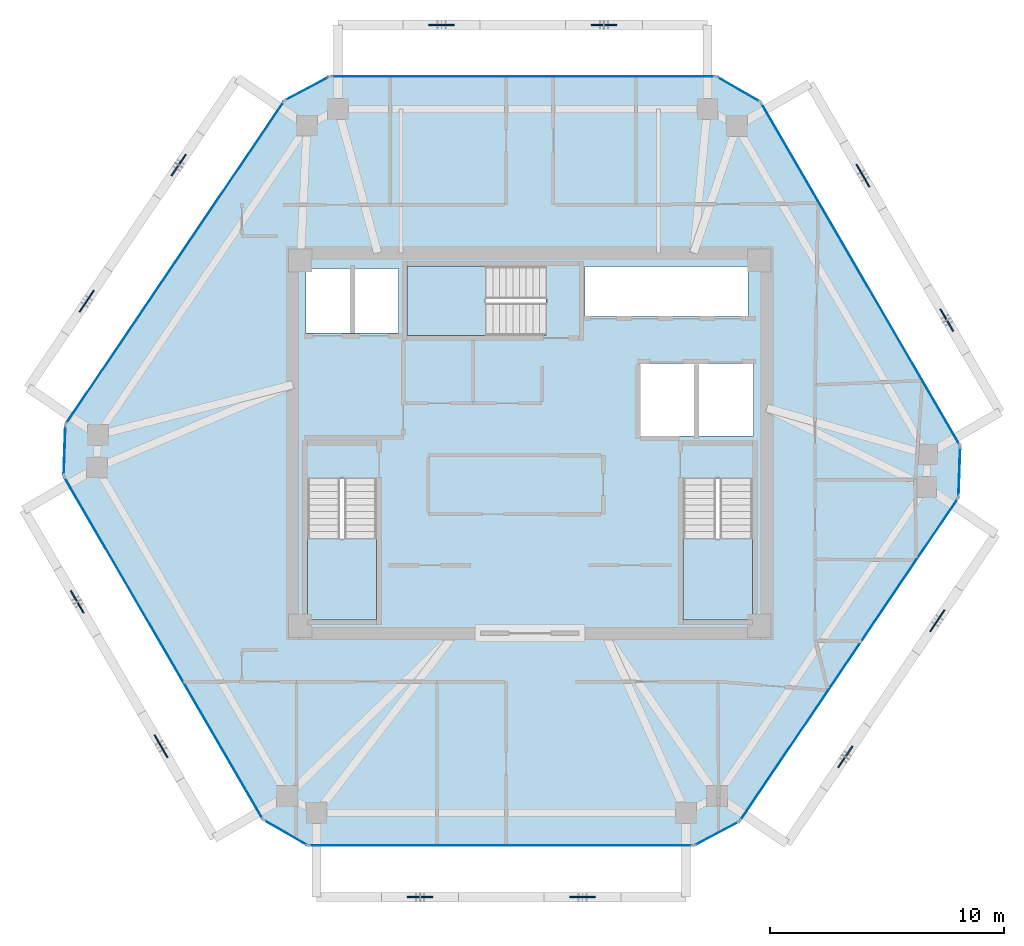
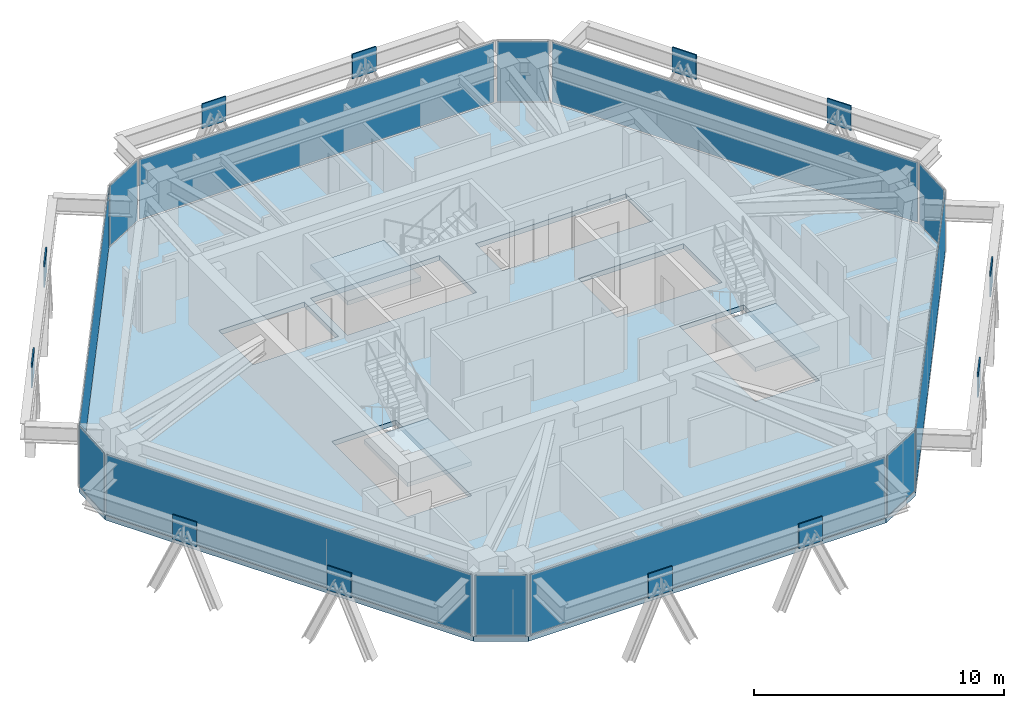
# One storey, part 7 of 13: 24 plates, 4 slabs, 15 elements without a shape of their own.
"""IFC4 building model written with IfcOpenShell, lengths in metres."""

import ifcopenshell
import ifcopenshell.guid

model = None  # the IFC model being written
_history = None  # IfcOwnerHistory: only IFC2X3 demands one
_inside = {}  # id of a spatial element -> (the spatial element, [elements in it])
_under = {}  # id of a project, library or spatial element -> (it, [spatial elements below it])
_declared = {}  # id of a project -> (the project, [libraries it declares])
_typed = {}  # id of a type object -> (the type object, [elements of that type])
_made_of = {}  # id of a material, layer set ... -> (it, [elements and type objects made of it])


def new_model(schema):
    """Start an empty IFC model of exactly this schema.

    Asked for "IFC4X3", IfcOpenShell would pick the latest addendum, in which some entities
    have other attributes; the version numbers below select the first issue.
    IFC2X3 requires an IfcOwnerHistory on every rooted entity: one is made here for all.
    """
    global model, _history
    if schema == "IFC4X3":
        model = ifcopenshell.file(schema_version=(4, 3, 0, 0))
    else:
        model = ifcopenshell.file(schema=schema)
    _inside.clear()
    _under.clear()
    _declared.clear()
    _typed.clear()
    _made_of.clear()
    _history = None
    if model.schema == "IFC2X3":
        org = make("IfcOrganization", Name="unknown")
        user = make(
            "IfcPersonAndOrganization",
            ThePerson=make("IfcPerson", FamilyName="unknown"),
            TheOrganization=org,
        )
        app = make(
            "IfcApplication",
            ApplicationDeveloper=org,
            Version="unknown",
            ApplicationFullName="unknown",
            ApplicationIdentifier="unknown",
        )
        _history = make(
            "IfcOwnerHistory",
            OwningUser=user,
            OwningApplication=app,
            ChangeAction="ADDED",
            CreationDate=0,
        )
    return model


def make(cls, **values):
    """One entity of the class cls with the attributes given. An attribute that is None is left unset."""
    return model.create_entity(
        cls, **{name: value for name, value in values.items() if value is not None}
    )


def rooted(cls, **values):
    """An entity with a GlobalId (a new one), such as an element, a storey or a relation."""
    return make(cls, GlobalId=ifcopenshell.guid.new(), OwnerHistory=_history, **values)


def si_unit(unit_type, name, prefix=None):
    """IfcSIUnit, for example si_unit("LENGTHUNIT", "METRE", prefix="MILLI")."""
    return make("IfcSIUnit", UnitType=unit_type, Prefix=prefix, Name=name)


def assignment(units):
    """IfcUnitAssignment: the units of a project."""
    return None if units is None else make("IfcUnitAssignment", Units=units)


def point(xyz):
    """IfcCartesianPoint."""
    return None if xyz is None else make("IfcCartesianPoint", Coordinates=xyz)


def direction(xyz):
    """IfcDirection."""
    return None if xyz is None else make("IfcDirection", DirectionRatios=xyz)


def frame(location, z_axis=None, x_axis=None):
    """IfcAxis2Placement3D, a coordinate frame: its origin and axes. An axis left out is left unset."""
    return make(
        "IfcAxis2Placement3D",
        Location=point(location),
        Axis=direction(z_axis),
        RefDirection=direction(x_axis),
    )


def frame_2d(location, x_axis=None):
    """IfcAxis2Placement2D, a coordinate frame in the plane: its origin and x axis."""
    return make(
        "IfcAxis2Placement2D", Location=point(location), RefDirection=direction(x_axis)
    )


def origin():
    """The frame at (0, 0, 0) with its axes left unset."""
    return frame((0.0, 0.0, 0.0))


def origin_2d():
    """The frame at (0, 0) in the plane with its x axis left unset."""
    return frame_2d((0.0, 0.0))


def place(relative_to, where):
    """IfcLocalPlacement: puts the frame where relative to a parent placement (None: the world)."""
    return make(
        "IfcLocalPlacement", PlacementRelTo=relative_to, RelativePlacement=where
    )


def context(
    kind, dimensions, precision=None, world=None, true_north=None, identifier=None
):
    """IfcGeometricRepresentationContext, for example the 3D "Model" context."""
    return make(
        "IfcGeometricRepresentationContext",
        ContextIdentifier=identifier,
        ContextType=kind,
        CoordinateSpaceDimension=dimensions,
        Precision=precision,
        WorldCoordinateSystem=world,
        TrueNorth=true_north,
    )


def subcontext(parent, identifier, kind, view, scale=None):
    """IfcGeometricRepresentationSubContext, for example "Body" below "Model"."""
    return make(
        "IfcGeometricRepresentationSubContext",
        ContextIdentifier=identifier,
        ContextType=kind,
        ParentContext=parent,
        TargetScale=scale,
        TargetView=view,
    )


def project(units=None, contexts=None):
    """IfcProject with its units and contexts."""
    return rooted(
        "IfcProject",
        Name="project",
        RepresentationContexts=contexts,
        UnitsInContext=assignment(units),
    )


def spatial(cls, under=None, at=None, **own):
    """A site, building, storey or space (cls), placed at a placement, below another one or the project."""
    s = rooted(cls, ObjectPlacement=at, **own)
    if under is not None:
        _under.setdefault(under.id(), (under, []))[1].append(s)
    return s


def polyline(points):
    """IfcPolyline through the points."""
    return make("IfcPolyline", Points=[point(p) for p in points])


def profile(cls, at=None, kind="AREA", **sizes):
    """A parametric profile (cls). Its sizes go by their IFC names, for example OverallWidth=200.0."""
    return make(cls, ProfileType=kind, Position=at, **sizes)


def rectangle(**sizes):
    """IfcRectangleProfileDef."""
    return profile("IfcRectangleProfileDef", **sizes)


def outline(outer, holes=None, kind="AREA"):
    """IfcArbitraryClosedProfileDef: a profile drawn as a closed curve; with holes, ...WithVoids."""
    if holes is None:
        return make("IfcArbitraryClosedProfileDef", ProfileType=kind, OuterCurve=outer)
    return make(
        "IfcArbitraryProfileDefWithVoids",
        ProfileType=kind,
        OuterCurve=outer,
        InnerCurves=holes,
    )


def extrude(swept, where, along, depth):
    """IfcExtrudedAreaSolid: the profile swept, set in the frame where, extruded along a direction by depth."""
    return make(
        "IfcExtrudedAreaSolid",
        SweptArea=swept,
        Position=where,
        ExtrudedDirection=direction(along),
        Depth=depth,
    )


def shape(context_of_items, identifier, shape_type, items):
    """IfcShapeRepresentation: the items that make up one representation, for example the "Body"."""
    return make(
        "IfcShapeRepresentation",
        ContextOfItems=context_of_items,
        RepresentationIdentifier=identifier,
        RepresentationType=shape_type,
        Items=items,
    )


def source(mapping_origin, context_of_items, identifier, shape_type, items):
    """IfcRepresentationMap: a shape defined once, which mapped items show again and again."""
    return make(
        "IfcRepresentationMap",
        MappingOrigin=mapping_origin,
        MappedRepresentation=shape(context_of_items, identifier, shape_type, items),
    )


def transform(
    local_origin,
    x_axis=None,
    y_axis=None,
    z_axis=None,
    scale=None,
    scale2=None,
    scale3=None,
    uniform=True,
):
    """IfcCartesianTransformationOperator3D, or its non-uniform kind. x_axis, y_axis, z_axis: its Axis1, 2, 3."""
    if uniform:
        return make(
            "IfcCartesianTransformationOperator3D",
            Axis1=direction(x_axis),
            Axis2=direction(y_axis),
            LocalOrigin=point(local_origin),
            Scale=scale,
            Axis3=direction(z_axis),
        )
    return make(
        "IfcCartesianTransformationOperator3DnonUniform",
        Axis1=direction(x_axis),
        Axis2=direction(y_axis),
        LocalOrigin=point(local_origin),
        Scale=scale,
        Axis3=direction(z_axis),
        Scale2=scale2,
        Scale3=scale3,
    )


def mapped(mapping_source, mapping_target):
    """IfcMappedItem: shows the shape of a source again, moved by a transform."""
    return make(
        "IfcMappedItem", MappingSource=mapping_source, MappingTarget=mapping_target
    )


def material(Name=None, Category=None):
    """IfcMaterial."""
    return make("IfcMaterial", Name=Name, Category=Category)


def layer(
    of_material, thickness, ventilated=None, Name=None, Category=None, Priority=None
):
    """IfcMaterialLayer: one layer of a wall or slab, of a material (None: an air gap)."""
    return make(
        "IfcMaterialLayer",
        Material=of_material,
        LayerThickness=thickness,
        IsVentilated=ventilated,
        Name=Name,
        Category=Category,
        Priority=Priority,
    )


def layer_set(layers, Name=None):
    """IfcMaterialLayerSet."""
    return make("IfcMaterialLayerSet", MaterialLayers=layers, LayerSetName=Name)


def made_of(thing, what):
    """Note that an element or type object is made of a material, layer set ...; save() writes the relation."""
    if what is not None:
        _made_of.setdefault(what.id(), (what, []))[1].append(thing)
    return thing


def type_object(cls, material=None, **own):
    """A type object (cls), such as IfcWallType, which elements share."""
    return made_of(rooted(cls, **own), material)


def type_shapes(of_type, sources):
    """Give a type object the sources (RepresentationMaps) that its elements show as mapped items."""
    of_type.RepresentationMaps = sources


def element(
    cls,
    number,
    at=None,
    inside=None,
    cuts=None,
    type_object=None,
    material=None,
    context=None,
    identifier="Body",
    shape_type=None,
    held_by="IfcProductDefinitionShape",
    body=None,
    shapes=None,
    **own,
):
    """One element of the class cls, such as IfcWall. Its Tag is "e" and its number.

    at: its placement. inside: the storey or other place that contains it. cuts: it is an
    opening in that element (IfcRelVoidsElement). A single representation is given by context,
    identifier, shape_type and body (its items); several are given by shapes. held_by: the class
    of the entity that holds the representations. save() writes the other relations.
    """
    e = rooted(cls, Tag="e%d" % number, ObjectPlacement=at, **own)
    if body is not None:
        shapes = [shape(context, identifier, shape_type, body)]
    if shapes is not None:
        e.Representation = make(held_by, Representations=shapes)
    if inside is not None:
        _inside.setdefault(inside.id(), (inside, []))[1].append(e)
    if cuts is not None:
        rooted(
            "IfcRelVoidsElement", RelatingBuildingElement=cuts, RelatedOpeningElement=e
        )
    if type_object is not None:
        _typed.setdefault(type_object.id(), (type_object, []))[1].append(e)
    return made_of(e, material)


def aggregate(whole, parts):
    """IfcRelAggregates: a whole, such as a stair, and the parts it consists of."""
    return rooted("IfcRelAggregates", RelatingObject=whole, RelatedObjects=parts)


def save(model, path):
    """Write the relations noted so far, then the file.

    IfcRelAggregates (storeys below a building ...), IfcRelContainedInSpatialStructure (elements
    in a storey), IfcRelDefinesByType, IfcRelAssociatesMaterial and IfcRelDeclares: one each for
    every whole, place, type object, material and project.
    """
    for whole, parts in _under.values():
        aggregate(whole, parts)
    for where, things in _inside.values():
        rooted(
            "IfcRelContainedInSpatialStructure",
            RelatedElements=things,
            RelatingStructure=where,
        )
    for kind, things in _typed.values():
        rooted("IfcRelDefinesByType", RelatedObjects=things, RelatingType=kind)
    for what, things in _made_of.values():
        rooted("IfcRelAssociatesMaterial", RelatedObjects=things, RelatingMaterial=what)
    for by, libraries in _declared.values():
        rooted("IfcRelDeclares", RelatingContext=by, RelatedDefinitions=libraries)
    model.write(path)


model = new_model("IFC4")

# Units and contexts
model_context = context("Model", 3, precision=1e-05, world=origin(), true_north=direction((0.0, 1.0)))
body_context = subcontext(model_context, "Body", "Model", "MODEL_VIEW")
ifc_project = project(units=[si_unit("LENGTHUNIT", "METRE"), si_unit("AREAUNIT", "SQUARE_METRE"), si_unit("VOLUMEUNIT", "CUBIC_METRE"), si_unit("PLANEANGLEUNIT", "RADIAN"), si_unit("MASSUNIT", "GRAM", prefix="KILO")], contexts=[model_context])

# Site, building, storey
site_placement = place(None, origin())
site = spatial("IfcSite", under=ifc_project, at=site_placement, CompositionType="ELEMENT")
building_placement = place(site_placement, origin())
building = spatial("IfcBuilding", under=site, at=building_placement, Name="Durnholm Broadcast Tower", CompositionType="ELEMENT")
storey_placement = place(building_placement, frame((0.0, 0.0, 228.199951171875)))
storey = spatial("IfcBuildingStorey", under=building, at=storey_placement, Name="L63", CompositionType="ELEMENT", Elevation=228.199951171875)

# Slab
ifc_material_1 = material(Name="Concrete C50/60", Category="concrete")
ifc_layer_1 = layer(ifc_material_1, 0.239990234375)
ifc_layer_set_1 = layer_set([ifc_layer_1], Name="Concrete C50/60")
slab_type_1 = type_object("IfcSlabType", Name="SLAB-FLR-240", PredefinedType="FLOOR", material=ifc_layer_set_1)
slab_1_placement = place(storey_placement, frame((0.0, 0.0, -0.239990234375)))
element("IfcSlab", 1, at=slab_1_placement, inside=storey, type_object=slab_type_1, Name="L63 structural floor slab", PredefinedType="FLOOR", context=body_context, shape_type="SweptSolid", body=[
    extrude(outline(polyline([(-11.384521484375, -16.088134765625), (-9.47802734375, -17.18603515625), (7.012451171875, -17.18603515625), (8.955322265625, -16.154296875), (18.307861328125, -2.3203125), (18.38330078125, -0.12158203125), (9.8603515625, 14.564208984375), (7.9541015625, 15.662109375), (-8.536376953125, 15.662109375), (-10.4794921875, 14.630126953125), (-19.831787109375, 0.79638671875), (-19.9072265625, -1.40234375), (-11.384521484375, -16.088134765625)]), holes=[polyline([(-6.5400390625, -1.5), (-9.5, -1.5), (-9.5, -7.550048828125), (-6.5400390625, -7.550048828125), (-6.5400390625, -1.5)]), polyline([(9.5, -7.550048828125), (9.5, -1.5), (6.5400390625, -1.5), (6.5400390625, -7.550048828125), (9.5, -7.550048828125)]), polyline([(9.550048828125, 3.39990234375), (4.699951171875, 3.39990234375), (4.699951171875, 0.300048828125), (9.550048828125, 0.300048828125), (9.550048828125, 3.39990234375)]), polyline([(-9.550048828125, 7.449951171875), (-9.550048828125, 4.699951171875), (-5.60009765625, 4.699951171875), (-5.60009765625, 7.449951171875), (-9.550048828125, 7.449951171875)]), polyline([(-5.25, 4.60009765625), (0.699951171875, 4.60009765625), (0.699951171875, 7.56005859375), (-5.25, 7.56005859375), (-5.25, 4.60009765625)]), polyline([(9.31005859375, 7.550048828125), (2.35009765625, 7.550048828125), (2.35009765625, 5.39990234375), (9.31005859375, 5.39990234375), (9.31005859375, 7.550048828125)])]), origin(), (0.0, 0.0, 1.0), 0.239990234375),
])

# Stair, slab
stair_type = type_object("IfcStairType", Name="STAIR-DL-20R1650", PredefinedType="HALF_TURN_STAIR", material=ifc_material_1)
stair_1_placement = place(storey_placement, origin())
stair_1 = element("IfcStair", 2, at=stair_1_placement, inside=storey, type_object=stair_type, Name="L63 ST-1", PredefinedType="HALF_TURN_STAIR")
ifc_layer_2 = layer(ifc_material_1, 0.199951171875)
ifc_layer_set_2 = layer_set([ifc_layer_2], Name="Concrete C50/60")
slab_type_2 = type_object("IfcSlabType", Name="SLAB-LND-200", PredefinedType="LANDING", material=ifc_layer_set_2)
slab_2_placement = place(storey_placement, frame((0.0, 0.0, 1.449951171875)))
slab_2 = element("IfcSlab", 3, at=slab_2_placement, type_object=slab_type_2, Name="ST-1 landing 1", PredefinedType="LANDING", context=body_context, shape_type="SweptSolid", body=[
    extrude(outline(polyline([(-9.5, -4.06494140625), (-9.5, -7.550048828125), (-6.5400390625, -7.550048828125), (-6.5400390625, -4.06494140625), (-9.5, -4.06494140625)])), origin(), (0.0, 0.0, 1.0), 0.2001953125),
])
aggregate(stair_1, [slab_2])

stair_2_placement = place(storey_placement, origin())
stair_2 = element("IfcStair", 4, at=stair_2_placement, inside=storey, type_object=stair_type, Name="L63 ST-2", PredefinedType="HALF_TURN_STAIR")
slab_3_placement = place(storey_placement, frame((0.0, 0.0, 1.449951171875)))
slab_3 = element("IfcSlab", 5, at=slab_3_placement, type_object=slab_type_2, Name="ST-2 landing 1", PredefinedType="LANDING", context=body_context, shape_type="SweptSolid", body=[
    extrude(outline(polyline([(6.5400390625, -4.06494140625), (6.5400390625, -7.550048828125), (9.5, -7.550048828125), (9.5, -4.06494140625), (6.5400390625, -4.06494140625)])), origin(), (0.0, 0.0, 1.0), 0.2001953125),
])
aggregate(stair_2, [slab_3])

stair_3_placement = place(storey_placement, origin())
stair_3 = element("IfcStair", 6, at=stair_3_placement, inside=storey, type_object=stair_type, Name="L63 ST-3", PredefinedType="HALF_TURN_STAIR")
slab_4_placement = place(storey_placement, frame((0.0, 0.0, 1.449951171875)))
slab_4 = element("IfcSlab", 7, at=slab_4_placement, type_object=slab_type_2, Name="ST-3 landing 1", PredefinedType="LANDING", context=body_context, shape_type="SweptSolid", body=[
    extrude(outline(polyline([(-1.864990234375, 7.56005859375), (-5.25, 7.56005859375), (-5.25, 4.60009765625), (-1.864990234375, 4.60009765625), (-1.864990234375, 7.56005859375)])), origin(), (0.0, 0.0, 1.0), 0.2001953125),
])
aggregate(stair_3, [slab_4])

# Plates
ifc_material_2 = material(Name="Steel ASTM A572 Grade 50", Category="steel")
ifc_layer_3 = layer(ifc_material_2, 0.06005859375)
ifc_layer_set_3 = layer_set([ifc_layer_3], Name="Steel ASTM A572 Grade 50")
plate_type_1 = type_object("IfcPlateType", Name="PLT-KN10-GUS", PredefinedType="USERDEFINED", material=ifc_layer_set_3)
shared_shape_1 = source(origin(), body_context, "Body", "SweptSolid", [
    extrude(rectangle(XDim=1.10009765625, YDim=0.06005859375, at=origin_2d()), origin(), (0.0, 0.0, 1.0), 1.199951171875),
])
type_shapes(plate_type_1, [shared_shape_1])
for number, where, z_axis, x_axis, name in (
    (8, (-4.688720703125, -19.385986328125, 1.70849609375), (0.0, 0.0, 1.0), (1.0, 0.0, 0.0), "L63 welded diagrid node gusset plate KN10 F1"),
    (9, (2.248779296875, -19.385986328125, 1.70849609375), (0.0, 0.0, 1.0), (1.0, 0.0, 0.0), "L63 welded diagrid node gusset plate KN10 F1"),
    (10, (13.47412109375, -13.398193359375, 1.70849609375), (0.0, 0.0, 1.0), (0.560060762816, 0.828451532652, 0.0), "L63 welded diagrid node gusset plate KN10 F2"),
    (11, (17.404052734375, -7.585205078125, 1.70849609375), (0.0, 0.0, 1.0), (0.560060762816, 0.828451532652, 0.0), "L63 welded diagrid node gusset plate KN10 F2"),
    (12, (17.806640625, 5.2548828125, 1.70849609375), (0.0, 0.0, 1.0), (-0.501963660617, 0.864888711581, 0.0), "L63 welded diagrid node gusset plate KN10 F3"),
    (13, (14.228271484375, 11.4208984375, 1.70849609375), (0.0, 0.0, 1.0), (-0.501963660617, 0.864888711581, 0.0), "L63 welded diagrid node gusset plate KN10 F3"),
    (14, (3.164794921875, 17.862060546875, 1.70849609375), (0.0, 0.0, 1.0), (-1.0, 0.0, 0.0), "L63 welded diagrid node gusset plate KN10 F4"),
    (15, (-3.772705078125, 17.862060546875, 1.70849609375), (0.0, 0.0, 1.0), (-1.0, 0.0, 0.0), "L63 welded diagrid node gusset plate KN10 F4"),
    (16, (-14.998046875, 11.874267578125, 1.70849609375), (0.0, 0.0, 1.0), (-0.560060762816, -0.828451532652, 0.0), "L63 welded diagrid node gusset plate KN10 F5"),
    (17, (-18.927978515625, 6.061279296875, 1.70849609375), (0.0, 0.0, 1.0), (-0.560060762816, -0.828451532652, 0.0), "L63 welded diagrid node gusset plate KN10 F5"),
    (18, (-19.330810546875, -6.77880859375, 1.70849609375), (0.0, 0.0, 1.0), (0.501963660617, -0.864888711581, 0.0), "L63 welded diagrid node gusset plate KN10 F6"),
    (19, (-15.752197265625, -12.94482421875, 1.70849609375), (0.0, 0.0, 1.0), (0.501963660617, -0.864888711581, 0.0), "L63 welded diagrid node gusset plate KN10 F6"),
):
    element("IfcPlate", number, at=place(storey_placement, frame(where, z_axis=z_axis, x_axis=x_axis)), inside=storey, type_object=plate_type_1, Name=name, ObjectType="GUSSET_PLATE", PredefinedType="USERDEFINED", context=body_context, shape_type="MappedRepresentation", body=[
        mapped(shared_shape_1, transform((0.0, 0.0, 0.0), x_axis=(1.0, 0.0, 0.0), y_axis=(0.0, 1.0, 0.0), z_axis=(0.0, 0.0, 1.0), scale=1.0)),
    ])

# Curtain wall, plate
ifc_material_3 = material(Name="Aluminium and Solar Control IGU", Category="aluminium")
ifc_layer_4 = layer(ifc_material_3, 0.1650390625)
ifc_layer_set_4 = layer_set([ifc_layer_4], Name="Aluminium and Solar Control IGU")
curtain_wall_type_1 = type_object("IfcCurtainWallType", Name="CW-SYS-5", PredefinedType="NOTDEFINED", material=ifc_layer_set_4)
curtain_wall_1_placement = place(storey_placement, origin())
curtain_wall_1 = element("IfcCurtainWall", 20, at=curtain_wall_1_placement, inside=storey, type_object=curtain_wall_type_1, Name="L63 curtain wall CW-CORNER CW-L63-CRN-01", PredefinedType="NOTDEFINED")
ifc_material_4 = material(Name="Low-E Laminated Insulating Glass", Category="glass")
ifc_layer_5 = layer(ifc_material_4, 0.030029296875)
ifc_layer_set_5 = layer_set([ifc_layer_5], Name="Low-E Laminated Insulating Glass")
plate_type_2 = type_object("IfcPlateType", Name="CW-SYS-5-PNL", PredefinedType="CURTAIN_PANEL", material=ifc_layer_set_5)
shared_shape_2 = source(origin(), body_context, "Body", "SweptSolid", [
    extrude(rectangle(XDim=2.070068359375, YDim=0.030029296875, at=origin_2d()), origin(), (0.0, 0.0, 1.0), 2.929931640625),
])
plate_1_placement = place(storey_placement, frame((-19.86962890625, -0.302978515625, 0.06494140625), z_axis=(0.0, 0.0, 1.0), x_axis=(0.034318245849, 0.999410955514, 0.0)))
plate_1 = element("IfcPlate", 21, at=plate_1_placement, type_object=plate_type_2, Name="CW-CORNER panel 1.1", PredefinedType="CURTAIN_PANEL", context=body_context, shape_type="MappedRepresentation", body=[
    mapped(shared_shape_2, transform((0.0, 0.0, 0.0), x_axis=(1.0, 0.0, 0.0), y_axis=(0.0, 1.0, 0.0), z_axis=(0.0, 0.0, 1.0), scale=1.0)),
])
aggregate(curtain_wall_1, [plate_1])

curtain_wall_2_placement = place(storey_placement, origin())
curtain_wall_2 = element("IfcCurtainWall", 22, at=curtain_wall_2_placement, inside=storey, type_object=curtain_wall_type_1, Name="L63 curtain wall CW-CORNER CW-L63-CRN-03", PredefinedType="NOTDEFINED")
plate_2_placement = place(storey_placement, frame((-9.5078125, 15.14599609375, 0.06494140625), z_axis=(0.0, 0.0, 1.0), x_axis=(0.883194569853, 0.469006771575, 0.0)))
plate_2 = element("IfcPlate", 23, at=plate_2_placement, type_object=plate_type_2, Name="CW-CORNER panel 1.1", PredefinedType="CURTAIN_PANEL", context=body_context, shape_type="MappedRepresentation", body=[
    mapped(shared_shape_2, transform((0.0, 0.0, 0.0), x_axis=(1.0, 0.0, 0.0), y_axis=(0.0, 1.0, 0.0), z_axis=(0.0, 0.0, 1.0), scale=1.0)),
])
aggregate(curtain_wall_2, [plate_2])

curtain_wall_3_placement = place(storey_placement, origin())
curtain_wall_3 = element("IfcCurtainWall", 24, at=curtain_wall_3_placement, inside=storey, type_object=curtain_wall_type_1, Name="L63 curtain wall CW-CORNER CW-L63-CRN-07", PredefinedType="NOTDEFINED")
plate_3_placement = place(storey_placement, frame((18.345458984375, -1.220947265625, 0.06494140625), z_axis=(0.0, 0.0, 1.0), x_axis=(-0.034318245849, -0.999410955514, 0.0)))
plate_3 = element("IfcPlate", 25, at=plate_3_placement, type_object=plate_type_2, Name="CW-CORNER panel 1.1", PredefinedType="CURTAIN_PANEL", context=body_context, shape_type="MappedRepresentation", body=[
    mapped(shared_shape_2, transform((0.0, 0.0, 0.0), x_axis=(1.0, 0.0, 0.0), y_axis=(0.0, 1.0, 0.0), z_axis=(0.0, 0.0, 1.0), scale=1.0)),
])
aggregate(curtain_wall_3, [plate_3])

curtain_wall_4_placement = place(storey_placement, origin())
curtain_wall_4 = element("IfcCurtainWall", 26, at=curtain_wall_4_placement, inside=storey, type_object=curtain_wall_type_1, Name="L63 curtain wall CW-CORNER CW-L63-CRN-09", PredefinedType="NOTDEFINED")
plate_4_placement = place(storey_placement, frame((7.98388671875, -16.670166015625, 0.06494140625), z_axis=(0.0, 0.0, 1.0), x_axis=(-0.883194569853, -0.469006771575, 0.0)))
plate_4 = element("IfcPlate", 27, at=plate_4_placement, type_object=plate_type_2, Name="CW-CORNER panel 1.1", PredefinedType="CURTAIN_PANEL", context=body_context, shape_type="MappedRepresentation", body=[
    mapped(shared_shape_2, transform((0.0, 0.0, 0.0), x_axis=(1.0, 0.0, 0.0), y_axis=(0.0, 1.0, 0.0), z_axis=(0.0, 0.0, 1.0), scale=1.0)),
])
aggregate(curtain_wall_4, [plate_4])

ifc_layer_6 = layer(ifc_material_3, 0.18994140625)
ifc_layer_set_6 = layer_set([ifc_layer_6], Name="Aluminium and Solar Control IGU")
curtain_wall_type_2 = type_object("IfcCurtainWallType", Name="CW-SYS-4", PredefinedType="NOTDEFINED", material=ifc_layer_set_6)
curtain_wall_5_placement = place(storey_placement, origin())
curtain_wall_5 = element("IfcCurtainWall", 28, at=curtain_wall_5_placement, inside=storey, type_object=curtain_wall_type_2, Name="L63 curtain wall CW-Z34-VIS CW-L63-F02", PredefinedType="NOTDEFINED")
ifc_layer_7 = layer(ifc_material_4, 0.033935546875)
ifc_layer_set_7 = layer_set([ifc_layer_7], Name="Low-E Laminated Insulating Glass")
plate_type_3 = type_object("IfcPlateType", Name="CW-SYS-4-PNL", PredefinedType="CURTAIN_PANEL", material=ifc_layer_set_7)
shared_shape_3 = source(origin(), body_context, "Body", "SweptSolid", [
    extrude(rectangle(XDim=16.55859375, YDim=0.033935546875, at=origin_2d()), origin(), (0.0, 0.0, 1.0), 2.919921875),
])
plate_5_placement = place(storey_placement, frame((-15.155517578125, 7.71337890625, 0.070068359375), z_axis=(0.0, 0.0, 1.0), x_axis=(0.560072745753, 0.828443431662, 0.0)))
plate_5 = element("IfcPlate", 29, at=plate_5_placement, type_object=plate_type_3, Name="CW-Z34-VIS panel 1.1", PredefinedType="CURTAIN_PANEL", context=body_context, shape_type="MappedRepresentation", body=[
    mapped(shared_shape_3, transform((0.0, 0.0, 0.0), x_axis=(1.0, 0.0, 0.0), y_axis=(0.0, 1.0, 0.0), z_axis=(0.0, 0.0, 1.0), scale=1.0)),
])
aggregate(curtain_wall_5, [plate_5])

curtain_wall_6_placement = place(storey_placement, origin())
curtain_wall_6 = element("IfcCurtainWall", 30, at=curtain_wall_6_placement, inside=storey, type_object=curtain_wall_type_2, Name="L63 curtain wall CW-Z34-VIS CW-L63-F08", PredefinedType="NOTDEFINED")
plate_6_placement = place(storey_placement, frame((13.631591796875, -9.2373046875, 0.070068359375), z_axis=(0.0, 0.0, 1.0), x_axis=(-0.560072745753, -0.828443431662, 0.0)))
plate_6 = element("IfcPlate", 31, at=plate_6_placement, type_object=plate_type_3, Name="CW-Z34-VIS panel 1.1", PredefinedType="CURTAIN_PANEL", context=body_context, shape_type="MappedRepresentation", body=[
    mapped(shared_shape_3, transform((0.0, 0.0, 0.0), x_axis=(1.0, 0.0, 0.0), y_axis=(0.0, 1.0, 0.0), z_axis=(0.0, 0.0, 1.0), scale=1.0)),
])
aggregate(curtain_wall_6, [plate_6])

curtain_wall_7_placement = place(storey_placement, origin())
curtain_wall_7 = element("IfcCurtainWall", 32, at=curtain_wall_7_placement, inside=storey, type_object=curtain_wall_type_2, Name="L63 curtain wall CW-Z34-VIS CW-L63-F04", PredefinedType="NOTDEFINED")
shared_shape_4 = source(origin(), body_context, "Body", "SweptSolid", [
    extrude(rectangle(XDim=16.350341796875, YDim=0.033935546875, at=origin_2d()), origin(), (0.0, 0.0, 1.0), 2.919921875),
])
plate_7_placement = place(storey_placement, frame((-0.291259765625, 15.662109375, 0.070068359375), z_axis=(0.0, 0.0, 1.0), x_axis=(1.0, 0.0, 0.0)))
plate_7 = element("IfcPlate", 33, at=plate_7_placement, type_object=plate_type_3, Name="CW-Z34-VIS panel 1.1", PredefinedType="CURTAIN_PANEL", context=body_context, shape_type="MappedRepresentation", body=[
    mapped(shared_shape_4, transform((0.0, 0.0, 0.0), x_axis=(1.0, 0.0, 0.0), y_axis=(0.0, 1.0, 0.0), z_axis=(0.0, 0.0, 1.0), scale=1.0)),
])
aggregate(curtain_wall_7, [plate_7])

curtain_wall_8_placement = place(storey_placement, origin())
curtain_wall_8 = element("IfcCurtainWall", 34, at=curtain_wall_8_placement, inside=storey, type_object=curtain_wall_type_2, Name="L63 curtain wall CW-Z34-VIS CW-L63-F10", PredefinedType="NOTDEFINED")
plate_8_placement = place(storey_placement, frame((-1.23291015625, -17.18603515625, 0.070068359375), z_axis=(0.0, 0.0, 1.0), x_axis=(-1.0, 0.0, 0.0)))
plate_8 = element("IfcPlate", 35, at=plate_8_placement, type_object=plate_type_3, Name="CW-Z34-VIS panel 1.1", PredefinedType="CURTAIN_PANEL", context=body_context, shape_type="MappedRepresentation", body=[
    mapped(shared_shape_4, transform((0.0, 0.0, 0.0), x_axis=(1.0, 0.0, 0.0), y_axis=(0.0, 1.0, 0.0), z_axis=(0.0, 0.0, 1.0), scale=1.0)),
])
aggregate(curtain_wall_8, [plate_8])

curtain_wall_9_placement = place(storey_placement, origin())
curtain_wall_9 = element("IfcCurtainWall", 36, at=curtain_wall_9_placement, inside=storey, type_object=curtain_wall_type_1, Name="L63 curtain wall CW-CORNER CW-L63-CRN-05", PredefinedType="NOTDEFINED")
shared_shape_5 = source(origin(), body_context, "Body", "SweptSolid", [
    extrude(rectangle(XDim=2.06982421875, YDim=0.030029296875, at=origin_2d()), origin(), (0.0, 0.0, 1.0), 2.929931640625),
])
type_shapes(plate_type_2, [shared_shape_2, shared_shape_5])
plate_9_placement = place(storey_placement, frame((8.9072265625, 15.113037109375, 0.06494140625), z_axis=(0.0, 0.0, 1.0), x_axis=(0.866568249707, -0.499058582333, 0.0)))
plate_9 = element("IfcPlate", 37, at=plate_9_placement, type_object=plate_type_2, Name="CW-CORNER panel 1.1", PredefinedType="CURTAIN_PANEL", context=body_context, shape_type="MappedRepresentation", body=[
    mapped(shared_shape_5, transform((0.0, 0.0, 0.0), x_axis=(1.0, 0.0, 0.0), y_axis=(0.0, 1.0, 0.0), z_axis=(0.0, 0.0, 1.0), scale=1.0)),
])
aggregate(curtain_wall_9, [plate_9])

curtain_wall_10_placement = place(storey_placement, origin())
curtain_wall_10 = element("IfcCurtainWall", 38, at=curtain_wall_10_placement, inside=storey, type_object=curtain_wall_type_1, Name="L63 curtain wall CW-CORNER CW-L63-CRN-11", PredefinedType="NOTDEFINED")
plate_10_placement = place(storey_placement, frame((-10.43115234375, -16.636962890625, 0.06494140625), z_axis=(0.0, 0.0, 1.0), x_axis=(-0.866568249707, 0.499058582333, 0.0)))
plate_10 = element("IfcPlate", 39, at=plate_10_placement, type_object=plate_type_2, Name="CW-CORNER panel 1.1", PredefinedType="CURTAIN_PANEL", context=body_context, shape_type="MappedRepresentation", body=[
    mapped(shared_shape_5, transform((0.0, 0.0, 0.0), x_axis=(1.0, 0.0, 0.0), y_axis=(0.0, 1.0, 0.0), z_axis=(0.0, 0.0, 1.0), scale=1.0)),
])
aggregate(curtain_wall_10, [plate_10])

curtain_wall_11_placement = place(storey_placement, origin())
curtain_wall_11 = element("IfcCurtainWall", 40, at=curtain_wall_11_placement, inside=storey, type_object=curtain_wall_type_2, Name="L63 curtain wall CW-Z34-VIS CW-L63-F06", PredefinedType="NOTDEFINED")
shared_shape_6 = source(origin(), body_context, "Body", "SweptSolid", [
    extrude(rectangle(XDim=16.83984375, YDim=0.033935546875, at=origin_2d()), origin(), (0.0, 0.0, 1.0), 2.919921875),
])
type_shapes(plate_type_3, [shared_shape_3, shared_shape_4, shared_shape_6])
plate_11_placement = place(storey_placement, frame((14.121826171875, 7.22119140625, 0.070068359375), z_axis=(0.0, 0.0, 1.0), x_axis=(0.50194441023, -0.864899883824, 0.0)))
plate_11 = element("IfcPlate", 41, at=plate_11_placement, type_object=plate_type_3, Name="CW-Z34-VIS panel 1.1", PredefinedType="CURTAIN_PANEL", context=body_context, shape_type="MappedRepresentation", body=[
    mapped(shared_shape_6, transform((0.0, 0.0, 0.0), x_axis=(1.0, 0.0, 0.0), y_axis=(0.0, 1.0, 0.0), z_axis=(0.0, 0.0, 1.0), scale=1.0)),
])
aggregate(curtain_wall_11, [plate_11])

curtain_wall_12_placement = place(storey_placement, origin())
curtain_wall_12 = element("IfcCurtainWall", 42, at=curtain_wall_12_placement, inside=storey, type_object=curtain_wall_type_2, Name="L63 curtain wall CW-Z34-VIS CW-L63-F12", PredefinedType="NOTDEFINED")
plate_12_placement = place(storey_placement, frame((-15.645751953125, -8.7451171875, 0.070068359375), z_axis=(0.0, 0.0, 1.0), x_axis=(-0.50194441023, 0.864899883824, 0.0)))
plate_12 = element("IfcPlate", 43, at=plate_12_placement, type_object=plate_type_3, Name="CW-Z34-VIS panel 1.1", PredefinedType="CURTAIN_PANEL", context=body_context, shape_type="MappedRepresentation", body=[
    mapped(shared_shape_6, transform((0.0, 0.0, 0.0), x_axis=(1.0, 0.0, 0.0), y_axis=(0.0, 1.0, 0.0), z_axis=(0.0, 0.0, 1.0), scale=1.0)),
])
aggregate(curtain_wall_12, [plate_12])

save(model, "model.ifc")
